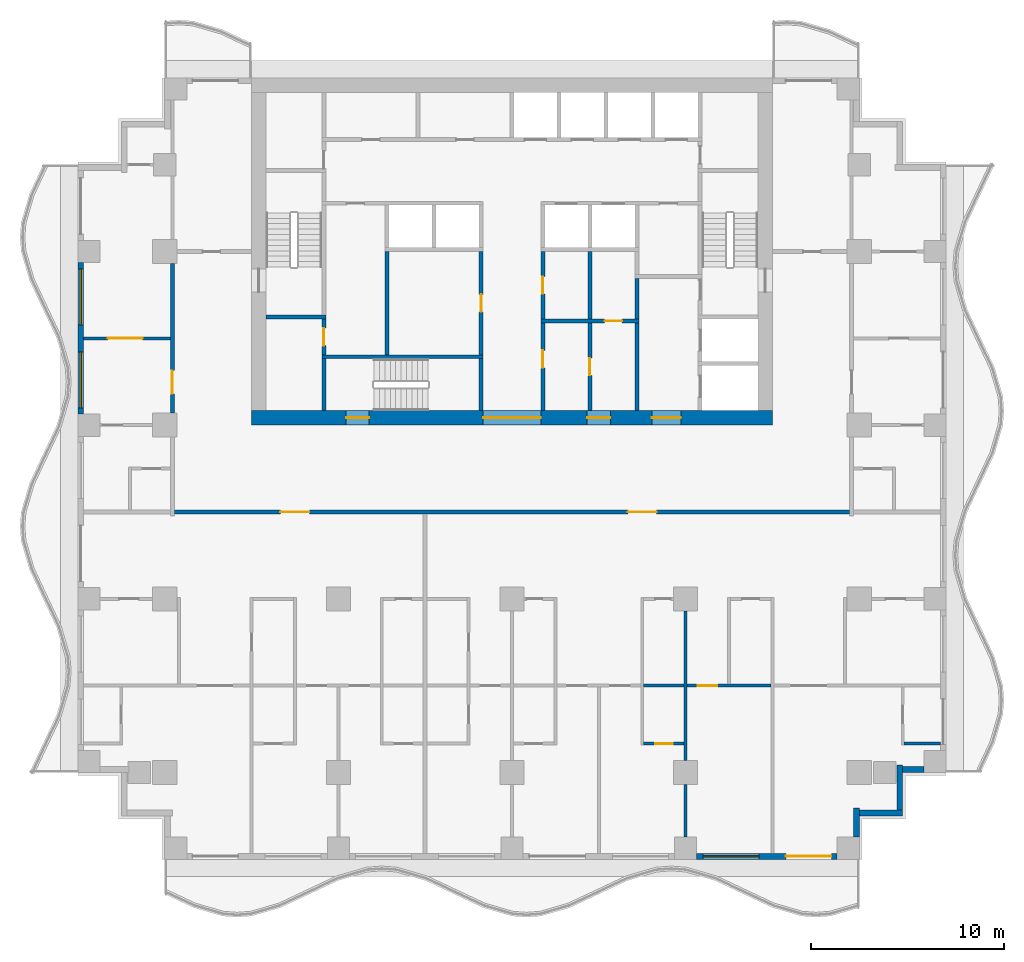
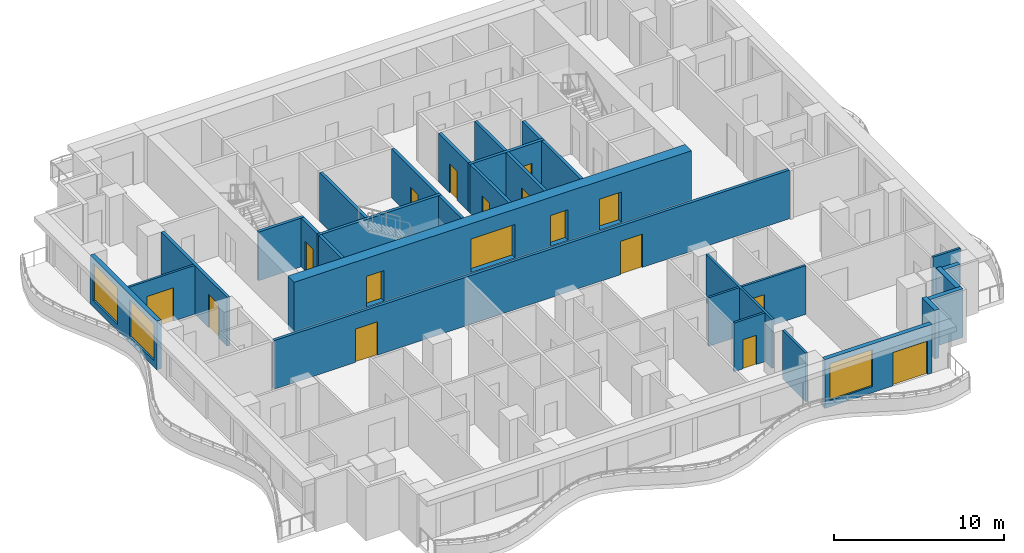
# One storey, part 3 of 10: 30 walls, 17 doors, 3 windows, 20 openings.
"""IFC4 building model written with IfcOpenShell, lengths in metres."""

from ifc_helpers import new_model, si_unit, direction, frame, frame_2d, origin, place, context, subcontext, project, spatial, rectangle, extrude, material, layer, layer_set, type_object, element, fill, save


model = new_model("IFC4")

# Units and contexts
model_context = context("Model", 3, precision=1e-05, world=origin(), true_north=direction((0.0, 1.0)))
body_context = subcontext(model_context, "Body", "Model", "MODEL_VIEW")
ifc_project = project(units=[si_unit("LENGTHUNIT", "METRE"), si_unit("AREAUNIT", "SQUARE_METRE"), si_unit("VOLUMEUNIT", "CUBIC_METRE"), si_unit("PLANEANGLEUNIT", "RADIAN"), si_unit("MASSUNIT", "GRAM", prefix="KILO")], contexts=[model_context])

# Site, building, storey
site_placement = place(None, origin())
site = spatial("IfcSite", under=ifc_project, at=site_placement, CompositionType="ELEMENT")
building_placement = place(site_placement, origin())
building = spatial("IfcBuilding", under=site, at=building_placement, Name="Orbiselva Terraces", CompositionType="ELEMENT")
storey_placement = place(building_placement, frame((0.0, 0.0, 144.0)))
storey = spatial("IfcBuildingStorey", under=building, at=storey_placement, Name="L36", CompositionType="ELEMENT", Elevation=144.0)

# Wall, openings, doors
ifc_material_1 = material(Name="Concrete C80/95", Category="concrete")
ifc_layer_1 = layer(ifc_material_1, 0.75)
ifc_layer_set_1 = layer_set([ifc_layer_1], Name="Concrete C80/95")
wall_type_1 = type_object("IfcWallType", Name="CORE WALL 750", PredefinedType="SHEAR", material=ifc_layer_set_1)
wall_1_placement = place(storey_placement, frame((-13.5, 4.875, -0.3), z_axis=(0.0, 0.0, 1.0), x_axis=(1.0, 0.0, 0.0)))
wall_1 = element("IfcWall", 1, at=wall_1_placement, inside=storey, type_object=wall_type_1, Name="Core wall L36 south", PredefinedType="SHEAR", context=body_context, shape_type="SweptSolid", body=[
    extrude(rectangle(XDim=27.0, YDim=0.75, at=frame_2d((13.5, 0.0))), origin(), (0.0, 0.0, 1.0), 3.8),
])
opening_1_placement = place(wall_1_placement, frame((12.0, 0.0, 0.3)))
opening_1 = element("IfcOpeningElement", 2, at=opening_1_placement, cuts=wall_1, Name="Opening DL3000", PredefinedType="OPENING", context=body_context, shape_type="SweptSolid", body=[
    extrude(rectangle(XDim=3.0, YDim=2.4, at=frame_2d((1.5, 1.2))), frame((0.0, 0.385, 0.0), z_axis=(0.0, -1.0, 0.0), x_axis=(1.0, 0.0, 0.0)), (0.0, 0.0, 1.0), 0.77),
])
opening_2_placement = place(wall_1_placement, frame((4.9, 0.0, 0.3)))
opening_2 = element("IfcOpeningElement", 3, at=opening_2_placement, cuts=wall_1, Name="Opening DS1200", PredefinedType="OPENING", context=body_context, shape_type="SweptSolid", body=[
    extrude(rectangle(XDim=1.2, YDim=2.2, at=frame_2d((0.6, 1.1))), frame((0.0, 0.385, 0.0), z_axis=(0.0, -1.0, 0.0), x_axis=(1.0, 0.0, 0.0)), (0.0, 0.0, 1.0), 0.77),
])
opening_3_placement = place(wall_1_placement, frame((20.75, 0.0, 0.3)))
opening_3 = element("IfcOpeningElement", 4, at=opening_3_placement, cuts=wall_1, Name="Opening DF1500", PredefinedType="OPENING", context=body_context, shape_type="SweptSolid", body=[
    extrude(rectangle(XDim=1.5, YDim=2.2, at=frame_2d((0.75, 1.1))), frame((0.0, 0.385, 0.0), z_axis=(0.0, -1.0, 0.0), x_axis=(1.0, 0.0, 0.0)), (0.0, 0.0, 1.0), 0.77),
])
opening_4_placement = place(wall_1_placement, frame((17.4, 0.0, 0.3)))
opening_4 = element("IfcOpeningElement", 5, at=opening_4_placement, cuts=wall_1, Name="Opening DV1200", PredefinedType="OPENING", context=body_context, shape_type="SweptSolid", body=[
    extrude(rectangle(XDim=1.2, YDim=2.2, at=frame_2d((0.6, 1.1))), frame((0.0, 0.385, 0.0), z_axis=(0.0, -1.0, 0.0), x_axis=(1.0, 0.0, 0.0)), (0.0, 0.0, 1.0), 0.77),
])
ifc_material_2 = material(Name="Steel fire door", Category="steel")
door_type_1 = type_object("IfcDoorType", Name="FFL DOOR 1500", OperationType="DOUBLE_DOOR_SINGLE_SWING", PredefinedType="DOOR", material=ifc_material_2)
door_1_placement = place(opening_3_placement, frame((1.5, 0.0, 0.0), z_axis=(0.0, 0.0, 1.0), x_axis=(-1.0, 0.0, 0.0)))
door_1 = element("IfcDoor", 6, at=door_1_placement, inside=storey, type_object=door_type_1, Name="L36 FIRE-FIGHTING LOBBY door", OperationType="DOUBLE_DOOR_SINGLE_SWING", OverallHeight=2.2, OverallWidth=1.5, PredefinedType="DOOR", context=body_context, shape_type="SweptSolid", body=[
    extrude(rectangle(XDim=1.5, YDim=2.2, at=frame_2d((0.75, 1.1))), frame((0.0, 0.025, 0.0), z_axis=(0.0, -1.0, 0.0), x_axis=(1.0, 0.0, 0.0)), (0.0, 0.0, 1.0), 0.05),
])
fill(opening_3, door_1)
door_type_2 = type_object("IfcDoorType", Name="LOBBY DOOR 3000", OperationType="DOUBLE_DOOR_SINGLE_SWING", PredefinedType="DOOR", material=ifc_material_2)
door_2_placement = place(opening_1_placement, frame((3.0, 0.0, 0.0), z_axis=(0.0, 0.0, 1.0), x_axis=(-1.0, 0.0, 0.0)))
door_2 = element("IfcDoor", 7, at=door_2_placement, inside=storey, type_object=door_type_2, Name="L36 LIFT LOBBY door", OperationType="DOUBLE_DOOR_SINGLE_SWING", OverallHeight=2.4, OverallWidth=3.0, PredefinedType="DOOR", context=body_context, shape_type="SweptSolid", body=[
    extrude(rectangle(XDim=3.0, YDim=2.4, at=frame_2d((1.5, 1.2))), frame((0.0, 0.025, 0.0), z_axis=(0.0, -1.0, 0.0), x_axis=(1.0, 0.0, 0.0)), (0.0, 0.0, 1.0), 0.05),
])
fill(opening_1, door_2)
door_type_3 = type_object("IfcDoorType", Name="SERVICE DOOR 1200", OperationType="NOTDEFINED", PredefinedType="DOOR", material=ifc_material_2)
door_3_placement = place(opening_4_placement, frame((1.2, 0.0, 0.0), z_axis=(0.0, 0.0, 1.0), x_axis=(-1.0, 0.0, 0.0)))
door_3 = element("IfcDoor", 8, at=door_3_placement, inside=storey, type_object=door_type_3, Name="L36 SPARE PARTS STORE door", OperationType="SINGLE_SWING_RIGHT", OverallHeight=2.2, OverallWidth=1.2, PredefinedType="DOOR", context=body_context, shape_type="SweptSolid", body=[
    extrude(rectangle(XDim=1.2, YDim=2.2, at=frame_2d((0.6, 1.1))), frame((0.0, 0.025, 0.0), z_axis=(0.0, -1.0, 0.0), x_axis=(1.0, 0.0, 0.0)), (0.0, 0.0, 1.0), 0.05),
])
fill(opening_4, door_3)
door_type_4 = type_object("IfcDoorType", Name="STAIR DOOR 1200", OperationType="NOTDEFINED", PredefinedType="DOOR", material=ifc_material_2)
door_4_placement = place(opening_2_placement, frame((1.2, 0.0, 0.0), z_axis=(0.0, 0.0, 1.0), x_axis=(-1.0, 0.0, 0.0)))
door_4 = element("IfcDoor", 9, at=door_4_placement, inside=storey, type_object=door_type_4, Name="L36 EXIT STAIR S3 door", OperationType="SINGLE_SWING_LEFT", OverallHeight=2.2, OverallWidth=1.2, PredefinedType="DOOR", context=body_context, shape_type="SweptSolid", body=[
    extrude(rectangle(XDim=1.2, YDim=2.2, at=frame_2d((0.6, 1.1))), frame((0.0, 0.025, 0.0), z_axis=(0.0, -1.0, 0.0), x_axis=(1.0, 0.0, 0.0)), (0.0, 0.0, 1.0), 0.05),
])
fill(opening_2, door_4)

# Wall, opening, door
ifc_material_3 = material(Name="Masonry blockwork", Category="masonry")
ifc_layer_2 = layer(ifc_material_3, 0.2)
ifc_layer_set_2 = layer_set([ifc_layer_2], Name="Masonry blockwork")
wall_type_2 = type_object("IfcWallType", Name="CORE-WALL-PARTITION-200", PredefinedType="PARTITIONING", material=ifc_layer_set_2)
wall_2_placement = place(storey_placement, frame((-9.75, 8.15, 0.0), z_axis=(0.0, 0.0, 1.0), x_axis=(0.0, 1.0, 0.0)))
wall_2 = element("IfcWall", 10, at=wall_2_placement, inside=storey, type_object=wall_type_2, Name="L36 core wall 05", PredefinedType="PARTITIONING", context=body_context, shape_type="SweptSolid", body=[
    extrude(rectangle(XDim=1.85, YDim=0.2, at=frame_2d((0.925, 0.0))), origin(), (0.0, 0.0, 1.0), 3.5),
])
opening_5_placement = place(wall_2_placement, frame((0.475, 0.0, 0.0)))
opening_5 = element("IfcOpeningElement", 11, at=opening_5_placement, cuts=wall_2, Name="Opening DR900", PredefinedType="OPENING", context=body_context, shape_type="SweptSolid", body=[
    extrude(rectangle(XDim=0.9, YDim=2.1, at=frame_2d((0.45, 1.05))), frame((0.0, 0.11, 0.0), z_axis=(0.0, -1.0, 0.0), x_axis=(1.0, 0.0, 0.0)), (0.0, 0.0, 1.0), 0.22),
])
door_type_5 = type_object("IfcDoorType", Name="ROOM DOOR 900", OperationType="NOTDEFINED", PredefinedType="DOOR", material=ifc_material_2)
door_5_placement = place(opening_5_placement, origin())
door_5 = element("IfcDoor", 12, at=door_5_placement, inside=storey, type_object=door_type_5, Name="L36 STAFF WC door", OperationType="SINGLE_SWING_RIGHT", OverallHeight=2.1, OverallWidth=0.9, PredefinedType="DOOR", context=body_context, shape_type="SweptSolid", body=[
    extrude(rectangle(XDim=0.9, YDim=2.1, at=frame_2d((0.45, 1.05))), frame((0.0, 0.025, 0.0), z_axis=(0.0, -1.0, 0.0), x_axis=(1.0, 0.0, 0.0)), (0.0, 0.0, 1.0), 0.05),
])
fill(opening_5, door_5)

# Wall
wall_3_placement = place(storey_placement, frame((-6.475, 8.15, 0.0), z_axis=(0.0, 0.0, 1.0), x_axis=(0.0, 1.0, 0.0)))
element("IfcWall", 13, at=wall_3_placement, inside=storey, type_object=wall_type_2, Name="L36 core wall 12", PredefinedType="PARTITIONING", context=body_context, shape_type="SweptSolid", body=[
    extrude(rectangle(XDim=5.35, YDim=0.2, at=frame_2d((2.675, 0.0))), origin(), (0.0, 0.0, 1.0), 3.5),
])

# Wall, opening, door
wall_4_placement = place(storey_placement, frame((4.0375, 9.8, 0.0), z_axis=(0.0, 0.0, 1.0), x_axis=(0.0, -1.0, 0.0)))
wall_4 = element("IfcWall", 14, at=wall_4_placement, inside=storey, type_object=wall_type_2, Name="L36 core wall 28", PredefinedType="PARTITIONING", context=body_context, shape_type="SweptSolid", body=[
    extrude(rectangle(XDim=4.55, YDim=0.2, at=frame_2d((2.275, 0.0))), origin(), (0.0, 0.0, 1.0), 3.5),
])
opening_6_placement = place(wall_4_placement, frame((1.825, 0.0, 0.0)))
opening_6 = element("IfcOpeningElement", 15, at=opening_6_placement, cuts=wall_4, Name="Opening DR900", PredefinedType="OPENING", context=body_context, shape_type="SweptSolid", body=[
    extrude(rectangle(XDim=0.9, YDim=2.1, at=frame_2d((0.45, 1.05))), frame((0.0, 0.11, 0.0), z_axis=(0.0, -1.0, 0.0), x_axis=(1.0, 0.0, 0.0)), (0.0, 0.0, 1.0), 0.22),
])
door_6_placement = place(opening_6_placement, origin())
door_6 = element("IfcDoor", 16, at=door_6_placement, inside=storey, type_object=door_type_5, Name="L36 SPARE PARTS STORE door", OperationType="SINGLE_SWING_LEFT", OverallHeight=2.1, OverallWidth=0.9, PredefinedType="DOOR", context=body_context, shape_type="SweptSolid", body=[
    extrude(rectangle(XDim=0.9, YDim=2.1, at=frame_2d((0.45, 1.05))), frame((0.0, 0.025, 0.0), z_axis=(0.0, -1.0, 0.0), x_axis=(1.0, 0.0, 0.0)), (0.0, 0.0, 1.0), 0.05),
])
fill(opening_6, door_6)

# Walls
wall_5_placement = place(storey_placement, frame((4.0375, 10.0, 0.0), z_axis=(0.0, 0.0, 1.0), x_axis=(0.0, 1.0, 0.0)))
element("IfcWall", 17, at=wall_5_placement, inside=storey, type_object=wall_type_2, Name="L36 core wall 29", PredefinedType="PARTITIONING", context=body_context, shape_type="SweptSolid", body=[
    extrude(rectangle(XDim=3.5, YDim=0.2, at=frame_2d((1.75, 0.0))), origin(), (0.0, 0.0, 1.0), 3.5),
])
ifc_material_4 = material(Name="Concrete C60/75", Category="concrete")
ifc_layer_3 = layer(ifc_material_4, 0.2)
ifc_layer_set_3 = layer_set([ifc_layer_3], Name="Concrete C60/75")
wall_type_3 = type_object("IfcWallType", Name="CORE-WALL-SHEAR-200", PredefinedType="SHEAR", material=ifc_layer_set_3)
wall_6_placement = place(storey_placement, frame((-12.75, 10.1, 0.0), z_axis=(0.0, 0.0, 1.0), x_axis=(1.0, 0.0, 0.0)))
element("IfcWall", 18, at=wall_6_placement, inside=storey, type_object=wall_type_3, Name="L36 core wall 01", PredefinedType="SHEAR", context=body_context, shape_type="SweptSolid", body=[
    extrude(rectangle(XDim=3.1, YDim=0.2, at=frame_2d((1.55, 0.0))), origin(), (0.0, 0.0, 1.0), 3.5),
])
wall_7_placement = place(storey_placement, frame((-9.75, 5.25, 0.0), z_axis=(0.0, 0.0, 1.0), x_axis=(0.0, 1.0, 0.0)))
element("IfcWall", 19, at=wall_7_placement, inside=storey, type_object=wall_type_3, Name="L36 core wall 03", PredefinedType="SHEAR", context=body_context, shape_type="SweptSolid", body=[
    extrude(rectangle(XDim=2.7, YDim=0.2, at=frame_2d((1.35, 0.0))), origin(), (0.0, 0.0, 1.0), 3.5),
])
wall_8_placement = place(storey_placement, frame((-9.85, 8.05, 0.0), z_axis=(0.0, 0.0, 1.0), x_axis=(1.0, 0.0, 0.0)))
element("IfcWall", 20, at=wall_8_placement, inside=storey, type_object=wall_type_3, Name="L36 core wall 04", PredefinedType="SHEAR", context=body_context, shape_type="SweptSolid", body=[
    extrude(rectangle(XDim=8.35, YDim=0.2, at=frame_2d((4.175, 0.0))), origin(), (0.0, 0.0, 1.0), 3.5),
])
wall_9_placement = place(storey_placement, frame((-1.6, 5.25, 0.0), z_axis=(0.0, 0.0, 1.0), x_axis=(0.0, 1.0, 0.0)))
element("IfcWall", 21, at=wall_9_placement, inside=storey, type_object=wall_type_3, Name="L36 core wall 17", PredefinedType="SHEAR", context=body_context, shape_type="SweptSolid", body=[
    extrude(rectangle(XDim=2.7, YDim=0.2, at=frame_2d((1.35, 0.0))), origin(), (0.0, 0.0, 1.0), 3.5),
])

# Wall, opening, door
wall_10_placement = place(storey_placement, frame((-1.6, 8.15, 0.0), z_axis=(0.0, 0.0, 1.0), x_axis=(0.0, 1.0, 0.0)))
wall_10 = element("IfcWall", 22, at=wall_10_placement, inside=storey, type_object=wall_type_3, Name="L36 core wall 18", PredefinedType="SHEAR", context=body_context, shape_type="SweptSolid", body=[
    extrude(rectangle(XDim=5.35, YDim=0.2, at=frame_2d((2.675, 0.0))), origin(), (0.0, 0.0, 1.0), 3.5),
])
opening_7_placement = place(wall_10_placement, frame((2.225, 0.0, 0.0)))
opening_7 = element("IfcOpeningElement", 23, at=opening_7_placement, cuts=wall_10, Name="Opening DR900", PredefinedType="OPENING", context=body_context, shape_type="SweptSolid", body=[
    extrude(rectangle(XDim=0.9, YDim=2.1, at=frame_2d((0.45, 1.05))), frame((0.0, 0.11, 0.0), z_axis=(0.0, -1.0, 0.0), x_axis=(1.0, 0.0, 0.0)), (0.0, 0.0, 1.0), 0.22),
])
door_7_placement = place(opening_7_placement, origin())
door_7 = element("IfcDoor", 24, at=door_7_placement, inside=storey, type_object=door_type_5, Name="L36 HOUSEKEEPING STORE door", OperationType="SINGLE_SWING_RIGHT", OverallHeight=2.1, OverallWidth=0.9, PredefinedType="DOOR", context=body_context, shape_type="SweptSolid", body=[
    extrude(rectangle(XDim=0.9, YDim=2.1, at=frame_2d((0.45, 1.05))), frame((0.0, 0.025, 0.0), z_axis=(0.0, -1.0, 0.0), x_axis=(1.0, 0.0, 0.0)), (0.0, 0.0, 1.0), 0.05),
])
fill(opening_7, door_7)

wall_11_placement = place(storey_placement, frame((1.6, 9.8, 0.0), z_axis=(0.0, 0.0, 1.0), x_axis=(0.0, -1.0, 0.0)))
wall_11 = element("IfcWall", 25, at=wall_11_placement, inside=storey, type_object=wall_type_3, Name="L36 core wall 21", PredefinedType="SHEAR", context=body_context, shape_type="SweptSolid", body=[
    extrude(rectangle(XDim=4.55, YDim=0.2, at=frame_2d((2.275, 0.0))), origin(), (0.0, 0.0, 1.0), 3.5),
])
opening_8_placement = place(wall_11_placement, frame((1.425, 0.0, 0.0)))
opening_8 = element("IfcOpeningElement", 26, at=opening_8_placement, cuts=wall_11, Name="Opening DR900", PredefinedType="OPENING", context=body_context, shape_type="SweptSolid", body=[
    extrude(rectangle(XDim=0.9, YDim=2.1, at=frame_2d((0.45, 1.05))), frame((0.0, 0.11, 0.0), z_axis=(0.0, -1.0, 0.0), x_axis=(1.0, 0.0, 0.0)), (0.0, 0.0, 1.0), 0.22),
])
door_8_placement = place(opening_8_placement, origin())
door_8 = element("IfcDoor", 27, at=door_8_placement, inside=storey, type_object=door_type_5, Name="L36 ELECTRICAL ROOM door", OperationType="SINGLE_SWING_LEFT", OverallHeight=2.1, OverallWidth=0.9, PredefinedType="DOOR", context=body_context, shape_type="SweptSolid", body=[
    extrude(rectangle(XDim=0.9, YDim=2.1, at=frame_2d((0.45, 1.05))), frame((0.0, 0.025, 0.0), z_axis=(0.0, -1.0, 0.0), x_axis=(1.0, 0.0, 0.0)), (0.0, 0.0, 1.0), 0.05),
])
fill(opening_8, door_8)

wall_12_placement = place(storey_placement, frame((1.5, 9.9, 0.0), z_axis=(0.0, 0.0, 1.0), x_axis=(1.0, 0.0, 0.0)))
wall_12 = element("IfcWall", 28, at=wall_12_placement, inside=storey, type_object=wall_type_3, Name="L36 core wall 22", PredefinedType="SHEAR", context=body_context, shape_type="SweptSolid", body=[
    extrude(rectangle(XDim=5.075, YDim=0.2, at=frame_2d((2.5375, 0.0))), origin(), (0.0, 0.0, 1.0), 3.5),
])
opening_9_placement = place(wall_12_placement, frame((3.3062, 0.0, 0.0)))
opening_9 = element("IfcOpeningElement", 29, at=opening_9_placement, cuts=wall_12, Name="Opening DR900", PredefinedType="OPENING", context=body_context, shape_type="SweptSolid", body=[
    extrude(rectangle(XDim=0.9, YDim=2.1, at=frame_2d((0.45, 1.05))), frame((0.0, 0.11, 0.0), z_axis=(0.0, -1.0, 0.0), x_axis=(1.0, 0.0, 0.0)), (0.0, 0.0, 1.0), 0.22),
])
door_9_placement = place(opening_9_placement, origin())
door_9 = element("IfcDoor", 30, at=door_9_placement, inside=storey, type_object=door_type_5, Name="L36 LINEN STORE door", OperationType="SINGLE_SWING_RIGHT", OverallHeight=2.1, OverallWidth=0.9, PredefinedType="DOOR", context=body_context, shape_type="SweptSolid", body=[
    extrude(rectangle(XDim=0.9, YDim=2.1, at=frame_2d((0.45, 1.05))), frame((0.0, 0.025, 0.0), z_axis=(0.0, -1.0, 0.0), x_axis=(1.0, 0.0, 0.0)), (0.0, 0.0, 1.0), 0.05),
])
fill(opening_9, door_9)

wall_13_placement = place(storey_placement, frame((1.6, 13.5, 0.0), z_axis=(0.0, 0.0, 1.0), x_axis=(0.0, -1.0, 0.0)))
wall_13 = element("IfcWall", 31, at=wall_13_placement, inside=storey, type_object=wall_type_3, Name="L36 core wall 23", PredefinedType="SHEAR", context=body_context, shape_type="SweptSolid", body=[
    extrude(rectangle(XDim=3.5, YDim=0.2, at=frame_2d((1.75, 0.0))), origin(), (0.0, 0.0, 1.0), 3.5),
])
opening_10_placement = place(wall_13_placement, frame((1.3, 0.0, 0.0)))
opening_10 = element("IfcOpeningElement", 32, at=opening_10_placement, cuts=wall_13, Name="Opening DR900", PredefinedType="OPENING", context=body_context, shape_type="SweptSolid", body=[
    extrude(rectangle(XDim=0.9, YDim=2.1, at=frame_2d((0.45, 1.05))), frame((0.0, 0.11, 0.0), z_axis=(0.0, -1.0, 0.0), x_axis=(1.0, 0.0, 0.0)), (0.0, 0.0, 1.0), 0.22),
])
door_10_placement = place(opening_10_placement, origin())
door_10 = element("IfcDoor", 33, at=door_10_placement, inside=storey, type_object=door_type_5, Name="L36 COMMS ROOM door", OperationType="SINGLE_SWING_RIGHT", OverallHeight=2.1, OverallWidth=0.9, PredefinedType="DOOR", context=body_context, shape_type="SweptSolid", body=[
    extrude(rectangle(XDim=0.9, YDim=2.1, at=frame_2d((0.45, 1.05))), frame((0.0, 0.025, 0.0), z_axis=(0.0, -1.0, 0.0), x_axis=(1.0, 0.0, 0.0)), (0.0, 0.0, 1.0), 0.05),
])
fill(opening_10, door_10)

# Walls
wall_14_placement = place(storey_placement, frame((6.475, 5.25, 0.0), z_axis=(0.0, 0.0, 1.0), x_axis=(0.0, 1.0, 0.0)))
element("IfcWall", 34, at=wall_14_placement, inside=storey, type_object=wall_type_3, Name="L36 core wall 32", PredefinedType="SHEAR", context=body_context, shape_type="SweptSolid", body=[
    extrude(rectangle(XDim=4.55, YDim=0.2, at=frame_2d((2.275, 0.0))), origin(), (0.0, 0.0, 1.0), 3.5),
])
wall_15_placement = place(storey_placement, frame((6.475, 10.0, 0.0), z_axis=(0.0, 0.0, 1.0), x_axis=(0.0, 1.0, 0.0)))
element("IfcWall", 35, at=wall_15_placement, inside=storey, type_object=wall_type_3, Name="L36 core wall 33", PredefinedType="SHEAR", context=body_context, shape_type="SweptSolid", body=[
    extrude(rectangle(XDim=2.1, YDim=0.2, at=frame_2d((1.05, 0.0))), origin(), (0.0, 0.0, 1.0), 3.5),
])

# Wall, openings, door, window
ifc_material_5 = material(Name="Terracotta cladding on masonry backing", Category="masonry")
ifc_layer_4 = layer(ifc_material_5, 0.3)
ifc_layer_set_4 = layer_set([ifc_layer_4], Name="Terracotta cladding on masonry backing")
wall_type_4 = type_object("IfcWallType", Name="ENV-WALL-TERRACOTTA-300", PredefinedType="SOLIDWALL", material=ifc_layer_set_4)
wall_16_placement = place(storey_placement, frame((16.85, -17.85, 0.0), z_axis=(0.0, 0.0, 1.0), x_axis=(-1.0, 0.0, 0.0)))
wall_16 = element("IfcWall", 36, at=wall_16_placement, inside=storey, type_object=wall_type_4, Name="Facade wall L36 S", PredefinedType="SOLIDWALL", context=body_context, shape_type="SweptSolid", body=[
    extrude(rectangle(XDim=7.275, YDim=0.3, at=frame_2d((3.6375, 0.0))), origin(), (0.0, 0.0, 1.0), 3.5),
])
opening_11_placement = place(wall_16_placement, frame((4.05, 0.0, 0.45)))
opening_11 = element("IfcOpeningElement", 37, at=opening_11_placement, cuts=wall_16, Name="Opening WN8", PredefinedType="OPENING", context=body_context, shape_type="SweptSolid", body=[
    extrude(rectangle(XDim=2.9, YDim=2.65, at=frame_2d((1.45, 1.325))), frame((0.0, 0.16, 0.0), z_axis=(0.0, -1.0, 0.0), x_axis=(1.0, 0.0, 0.0)), (0.0, 0.0, 1.0), 0.32),
])
opening_12_placement = place(wall_16_placement, frame((0.3, 0.0, 0.0)))
opening_12 = element("IfcOpeningElement", 38, at=opening_12_placement, cuts=wall_16, Name="Opening Z3-B-E12", PredefinedType="OPENING", context=body_context, shape_type="SweptSolid", body=[
    extrude(rectangle(XDim=2.35, YDim=2.4, at=frame_2d((1.175, 1.2))), frame((0.0, 0.16, 0.0), z_axis=(0.0, -1.0, 0.0), x_axis=(1.0, 0.0, 0.0)), (0.0, 0.0, 1.0), 0.32),
])
ifc_material_6 = material(Name="Clear low-e glazing in aluminium frame", Category="aluminium")
door_type_6 = type_object("IfcDoorType", Name="BALCONY DOOR 2350 X 2400", OperationType="DOUBLE_DOOR_SLIDING", PredefinedType="DOOR", material=ifc_material_6)
door_11_placement = place(opening_12_placement, origin())
door_11 = element("IfcDoor", 39, at=door_11_placement, inside=storey, type_object=door_type_6, Name="Z3-B-E12", OperationType="SINGLE_SWING_LEFT", OverallHeight=2.4, OverallWidth=2.35, PredefinedType="DOOR", context=body_context, shape_type="SweptSolid", body=[
    extrude(rectangle(XDim=2.35, YDim=2.4, at=frame_2d((1.175, 1.2))), frame((0.0, 0.025, 0.0), z_axis=(0.0, -1.0, 0.0), x_axis=(1.0, 0.0, 0.0)), (0.0, 0.0, 1.0), 0.05),
])
fill(opening_12, door_11)
window_type = type_object("IfcWindowType", Name="WINDOW 2900 X 2650 S450", PartitioningType="TRIPLE_PANEL_VERTICAL", PredefinedType="WINDOW", material=ifc_material_6)
window_1_placement = place(opening_11_placement, origin())
window_1 = element("IfcWindow", 40, at=window_1_placement, inside=storey, type_object=window_type, Name="Window L36 S", OverallHeight=2.65, OverallWidth=2.9, PartitioningType="SINGLE_PANEL", PredefinedType="WINDOW", context=body_context, shape_type="SweptSolid", body=[
    extrude(rectangle(XDim=2.9, YDim=2.65, at=frame_2d((1.45, 1.325))), frame((0.0, 0.03, 0.0), z_axis=(0.0, -1.0, 0.0), x_axis=(1.0, 0.0, 0.0)), (0.0, 0.0, 1.0), 0.06),
])
fill(opening_11, window_1)

# Walls
wall_17_placement = place(storey_placement, frame((17.85, -15.35, 0.0), z_axis=(0.0, 0.0, 1.0), x_axis=(0.0, -1.0, 0.0)))
element("IfcWall", 41, at=wall_17_placement, inside=storey, type_object=wall_type_4, Name="Facade wall L36 STEP", PredefinedType="SOLIDWALL", context=body_context, shape_type="SweptSolid", body=[
    extrude(rectangle(XDim=1.5, YDim=0.3, at=frame_2d((0.75, 0.0))), origin(), (0.0, 0.0, 1.0), 3.5),
])
wall_18_placement = place(storey_placement, frame((20.25, -15.6, 0.0), z_axis=(0.0, 0.0, 1.0), x_axis=(-1.0, 0.0, 0.0)))
element("IfcWall", 42, at=wall_18_placement, inside=storey, type_object=wall_type_4, Name="Facade wall L36 STEP", PredefinedType="SOLIDWALL", context=body_context, shape_type="SweptSolid", body=[
    extrude(rectangle(XDim=2.25, YDim=0.3, at=frame_2d((1.125, 0.0))), origin(), (0.0, 0.0, 1.0), 3.5),
])
wall_19_placement = place(storey_placement, frame((20.1, -13.1, 0.0), z_axis=(0.0, 0.0, 1.0), x_axis=(0.0, -1.0, 0.0)))
element("IfcWall", 43, at=wall_19_placement, inside=storey, type_object=wall_type_4, Name="Facade wall L36 STEP", PredefinedType="SOLIDWALL", context=body_context, shape_type="SweptSolid", body=[
    extrude(rectangle(XDim=2.35, YDim=0.3, at=frame_2d((1.175, 0.0))), origin(), (0.0, 0.0, 1.0), 3.5),
])
wall_20_placement = place(storey_placement, frame((21.35, -13.35, 0.0), z_axis=(0.0, 0.0, 1.0), x_axis=(-1.0, 0.0, 0.0)))
element("IfcWall", 44, at=wall_20_placement, inside=storey, type_object=wall_type_4, Name="Facade wall L36 STEP", PredefinedType="SOLIDWALL", context=body_context, shape_type="SweptSolid", body=[
    extrude(rectangle(XDim=1.1, YDim=0.3, at=frame_2d((0.55, 0.0))), origin(), (0.0, 0.0, 1.0), 3.5),
])

# Wall, openings, windows
wall_21_placement = place(storey_placement, frame((-22.35, 5.075, 0.0), z_axis=(0.0, 0.0, 1.0), x_axis=(0.0, 1.0, 0.0)))
wall_21 = element("IfcWall", 45, at=wall_21_placement, inside=storey, type_object=wall_type_4, Name="Facade wall L36 W", PredefinedType="SOLIDWALL", context=body_context, shape_type="SweptSolid", body=[
    extrude(rectangle(XDim=7.85, YDim=0.3, at=frame_2d((3.925, 0.0))), origin(), (0.0, 0.0, 1.0), 3.5),
])
opening_13_placement = place(wall_21_placement, frame((4.625, 0.0, 0.45)))
opening_13 = element("IfcOpeningElement", 46, at=opening_13_placement, cuts=wall_21, Name="Opening WN8", PredefinedType="OPENING", context=body_context, shape_type="SweptSolid", body=[
    extrude(rectangle(XDim=2.9, YDim=2.65, at=frame_2d((1.45, 1.325))), frame((0.0, 0.16, 0.0), z_axis=(0.0, -1.0, 0.0), x_axis=(1.0, 0.0, 0.0)), (0.0, 0.0, 1.0), 0.32),
])
opening_14_placement = place(wall_21_placement, frame((0.325, 0.0, 0.45)))
opening_14 = element("IfcOpeningElement", 47, at=opening_14_placement, cuts=wall_21, Name="Opening WN8", PredefinedType="OPENING", context=body_context, shape_type="SweptSolid", body=[
    extrude(rectangle(XDim=2.9, YDim=2.65, at=frame_2d((1.45, 1.325))), frame((0.0, 0.16, 0.0), z_axis=(0.0, -1.0, 0.0), x_axis=(1.0, 0.0, 0.0)), (0.0, 0.0, 1.0), 0.32),
])
window_2_placement = place(opening_13_placement, origin())
window_2 = element("IfcWindow", 48, at=window_2_placement, inside=storey, type_object=window_type, Name="Window L36 W", OverallHeight=2.65, OverallWidth=2.9, PartitioningType="SINGLE_PANEL", PredefinedType="WINDOW", context=body_context, shape_type="SweptSolid", body=[
    extrude(rectangle(XDim=2.9, YDim=2.65, at=frame_2d((1.45, 1.325))), frame((0.0, 0.03, 0.0), z_axis=(0.0, -1.0, 0.0), x_axis=(1.0, 0.0, 0.0)), (0.0, 0.0, 1.0), 0.06),
])
fill(opening_13, window_2)
window_3_placement = place(opening_14_placement, origin())
window_3 = element("IfcWindow", 49, at=window_3_placement, inside=storey, type_object=window_type, Name="Window L36 W", OverallHeight=2.65, OverallWidth=2.9, PartitioningType="SINGLE_PANEL", PredefinedType="WINDOW", context=body_context, shape_type="SweptSolid", body=[
    extrude(rectangle(XDim=2.9, YDim=2.65, at=frame_2d((1.45, 1.325))), frame((0.0, 0.03, 0.0), z_axis=(0.0, -1.0, 0.0), x_axis=(1.0, 0.0, 0.0)), (0.0, 0.0, 1.0), 0.06),
])
fill(opening_14, window_3)

# Wall, openings, doors
ifc_material_7 = material(Name="Plasterboard on steel stud partition", Category="steel")
ifc_layer_5 = layer(ifc_material_7, 0.2)
ifc_layer_set_5 = layer_set([ifc_layer_5], Name="Plasterboard on steel stud partition")
wall_type_5 = type_object("IfcWallType", Name="UNIT-ENTRANCE-WALL-200", PredefinedType="PARTITIONING", material=ifc_layer_set_5)
wall_22_placement = place(storey_placement, frame((17.5, 0.0, 0.0), z_axis=(0.0, 0.0, 1.0), x_axis=(-1.0, 0.0, 0.0)))
wall_22 = element("IfcWall", 50, at=wall_22_placement, inside=storey, type_object=wall_type_5, Name="PARTITION L36-027", PredefinedType="PARTITIONING", context=body_context, shape_type="SweptSolid", body=[
    extrude(rectangle(XDim=35.0, YDim=0.2, at=frame_2d((17.5, 0.0))), origin(), (0.0, 0.0, 1.0), 3.5),
])
opening_15_placement = place(wall_22_placement, frame((28.0, 0.0, 0.0)))
opening_15 = element("IfcOpeningElement", 51, at=opening_15_placement, cuts=wall_22, Name="Opening Z3-B-13", PredefinedType="OPENING", context=body_context, shape_type="SweptSolid", body=[
    extrude(rectangle(XDim=1.5, YDim=2.4, at=frame_2d((0.75, 1.2))), frame((0.0, 0.11, 0.0), z_axis=(0.0, -1.0, 0.0), x_axis=(1.0, 0.0, 0.0)), (0.0, 0.0, 1.0), 0.22),
])
opening_16_placement = place(wall_22_placement, frame((10.0, 0.0, 0.0)))
opening_16 = element("IfcOpeningElement", 52, at=opening_16_placement, cuts=wall_22, Name="Opening Z3-B-23", PredefinedType="OPENING", context=body_context, shape_type="SweptSolid", body=[
    extrude(rectangle(XDim=1.5, YDim=2.4, at=frame_2d((0.75, 1.2))), frame((0.0, 0.11, 0.0), z_axis=(0.0, -1.0, 0.0), x_axis=(1.0, 0.0, 0.0)), (0.0, 0.0, 1.0), 0.22),
])
ifc_material_8 = material(Name="Painted timber door leaf", Category="wood")
door_type_7 = type_object("IfcDoorType", Name="ENTRANCE DOUBLE DOOR 1500", OperationType="NOTDEFINED", PredefinedType="DOOR", material=ifc_material_8)
door_12_placement = place(opening_15_placement, origin())
door_12 = element("IfcDoor", 53, at=door_12_placement, inside=storey, type_object=door_type_7, Name="Z3-B-13", OperationType="DOUBLE_DOOR_SINGLE_SWING", OverallHeight=2.4, OverallWidth=1.5, PredefinedType="DOOR", context=body_context, shape_type="SweptSolid", body=[
    extrude(rectangle(XDim=1.5, YDim=2.4, at=frame_2d((0.75, 1.2))), frame((0.0, 0.025, 0.0), z_axis=(0.0, -1.0, 0.0), x_axis=(1.0, 0.0, 0.0)), (0.0, 0.0, 1.0), 0.05),
])
fill(opening_15, door_12)
door_13_placement = place(opening_16_placement, origin())
door_13 = element("IfcDoor", 54, at=door_13_placement, inside=storey, type_object=door_type_7, Name="Z3-B-23", OperationType="DOUBLE_DOOR_SINGLE_SWING", OverallHeight=2.4, OverallWidth=1.5, PredefinedType="DOOR", context=body_context, shape_type="SweptSolid", body=[
    extrude(rectangle(XDim=1.5, YDim=2.4, at=frame_2d((0.75, 1.2))), frame((0.0, 0.025, 0.0), z_axis=(0.0, -1.0, 0.0), x_axis=(1.0, 0.0, 0.0)), (0.0, 0.0, 1.0), 0.05),
])
fill(opening_16, door_13)

# Wall, opening, door
wall_23_placement = place(storey_placement, frame((-17.6, 5.125, 0.0), z_axis=(0.0, 0.0, 1.0), x_axis=(0.0, 1.0, 0.0)))
wall_23 = element("IfcWall", 55, at=wall_23_placement, inside=storey, type_object=wall_type_5, Name="PARTITION L36-043", PredefinedType="PARTITIONING", context=body_context, shape_type="SweptSolid", body=[
    extrude(rectangle(XDim=7.75, YDim=0.2, at=frame_2d((3.875, 0.0))), origin(), (0.0, 0.0, 1.0), 3.5),
])
opening_17_placement = place(wall_23_placement, frame((1.0, 0.0, 0.0)))
opening_17 = element("IfcOpeningElement", 56, at=opening_17_placement, cuts=wall_23, Name="Opening Z3-B-05", PredefinedType="OPENING", context=body_context, shape_type="SweptSolid", body=[
    extrude(rectangle(XDim=1.2, YDim=2.4, at=frame_2d((0.6, 1.2))), frame((0.0, 0.11, 0.0), z_axis=(0.0, -1.0, 0.0), x_axis=(1.0, 0.0, 0.0)), (0.0, 0.0, 1.0), 0.22),
])
door_type_8 = type_object("IfcDoorType", Name="ENTRANCE DOOR 1200", OperationType="NOTDEFINED", PredefinedType="DOOR", material=ifc_material_8)
door_14_placement = place(opening_17_placement, origin())
door_14 = element("IfcDoor", 57, at=door_14_placement, inside=storey, type_object=door_type_8, Name="Z3-B-05", OperationType="SINGLE_SWING_LEFT", OverallHeight=2.4, OverallWidth=1.2, PredefinedType="DOOR", context=body_context, shape_type="SweptSolid", body=[
    extrude(rectangle(XDim=1.2, YDim=2.4, at=frame_2d((0.6, 1.2))), frame((0.0, 0.025, 0.0), z_axis=(0.0, -1.0, 0.0), x_axis=(1.0, 0.0, 0.0)), (0.0, 0.0, 1.0), 0.05),
])
fill(opening_17, door_14)

ifc_layer_6 = layer(ifc_material_7, 0.15)
ifc_layer_set_6 = layer_set([ifc_layer_6], Name="Plasterboard on steel stud partition")
wall_type_6 = type_object("IfcWallType", Name="UNIT-PARTITION-150", PredefinedType="PARTITIONING", material=ifc_layer_set_6)
wall_24_placement = place(storey_placement, frame((6.825, -12.0, 0.0), z_axis=(0.0, 0.0, 1.0), x_axis=(1.0, 0.0, 0.0)))
wall_24 = element("IfcWall", 58, at=wall_24_placement, inside=storey, type_object=wall_type_6, Name="PARTITION L36-006", PredefinedType="PARTITIONING", context=body_context, shape_type="SweptSolid", body=[
    extrude(rectangle(XDim=2.1, YDim=0.15, at=frame_2d((1.05, 0.0))), origin(), (0.0, 0.0, 1.0), 3.5),
])
opening_18_placement = place(wall_24_placement, frame((0.6, 0.0, 0.0)))
opening_18 = element("IfcOpeningElement", 59, at=opening_18_placement, cuts=wall_24, Name="Opening Z3-B-34", PredefinedType="OPENING", context=body_context, shape_type="SweptSolid", body=[
    extrude(rectangle(XDim=0.9, YDim=2.1, at=frame_2d((0.45, 1.05))), frame((0.0, 0.085, 0.0), z_axis=(0.0, -1.0, 0.0), x_axis=(1.0, 0.0, 0.0)), (0.0, 0.0, 1.0), 0.17),
])
door_type_9 = type_object("IfcDoorType", Name="BATH DOOR 900", OperationType="NOTDEFINED", PredefinedType="DOOR", material=ifc_material_8)
door_15_placement = place(opening_18_placement, origin())
door_15 = element("IfcDoor", 60, at=door_15_placement, inside=storey, type_object=door_type_9, Name="Z3-B-34", OperationType="SINGLE_SWING_LEFT", OverallHeight=2.1, OverallWidth=0.9, PredefinedType="DOOR", context=body_context, shape_type="SweptSolid", body=[
    extrude(rectangle(XDim=0.9, YDim=2.1, at=frame_2d((0.45, 1.05))), frame((0.0, 0.025, 0.0), z_axis=(0.0, -1.0, 0.0), x_axis=(1.0, 0.0, 0.0)), (0.0, 0.0, 1.0), 0.05),
])
fill(opening_18, door_15)

# Walls
wall_25_placement = place(storey_placement, frame((20.325, -12.0, 0.0), z_axis=(0.0, 0.0, 1.0), x_axis=(1.0, 0.0, 0.0)))
element("IfcWall", 61, at=wall_25_placement, inside=storey, type_object=wall_type_6, Name="PARTITION L36-007", PredefinedType="PARTITIONING", context=body_context, shape_type="SweptSolid", body=[
    extrude(rectangle(XDim=1.875, YDim=0.15, at=frame_2d((0.9375, 0.0))), origin(), (0.0, 0.0, 1.0), 3.5),
])
wall_26_placement = place(storey_placement, frame((6.825, -9.0, 0.0), z_axis=(0.0, 0.0, 1.0), x_axis=(1.0, 0.0, 0.0)))
element("IfcWall", 62, at=wall_26_placement, inside=storey, type_object=wall_type_6, Name="PARTITION L36-016", PredefinedType="PARTITIONING", context=body_context, shape_type="SweptSolid", body=[
    extrude(rectangle(XDim=2.1, YDim=0.15, at=frame_2d((1.05, 0.0))), origin(), (0.0, 0.0, 1.0), 3.5),
])

# Wall, opening, door
wall_27_placement = place(storey_placement, frame((13.425, -9.0, 0.0), z_axis=(0.0, 0.0, 1.0), x_axis=(-1.0, 0.0, 0.0)))
wall_27 = element("IfcWall", 63, at=wall_27_placement, inside=storey, type_object=wall_type_6, Name="PARTITION L36-017", PredefinedType="PARTITIONING", context=body_context, shape_type="SweptSolid", body=[
    extrude(rectangle(XDim=4.35, YDim=0.15, at=frame_2d((2.175, 0.0))), origin(), (0.0, 0.0, 1.0), 3.5),
])
opening_19_placement = place(wall_27_placement, frame((2.8, 0.0, 0.0)))
opening_19 = element("IfcOpeningElement", 64, at=opening_19_placement, cuts=wall_27, Name="Opening Z3-B-35", PredefinedType="OPENING", context=body_context, shape_type="SweptSolid", body=[
    extrude(rectangle(XDim=1.0, YDim=2.4, at=frame_2d((0.5, 1.2))), frame((0.0, 0.085, 0.0), z_axis=(0.0, -1.0, 0.0), x_axis=(1.0, 0.0, 0.0)), (0.0, 0.0, 1.0), 0.17),
])
door_type_10 = type_object("IfcDoorType", Name="ROOM DOOR 1000", OperationType="NOTDEFINED", PredefinedType="DOOR", material=ifc_material_8)
door_16_placement = place(opening_19_placement, origin())
door_16 = element("IfcDoor", 65, at=door_16_placement, inside=storey, type_object=door_type_10, Name="Z3-B-35", OperationType="SINGLE_SWING_RIGHT", OverallHeight=2.4, OverallWidth=1.0, PredefinedType="DOOR", context=body_context, shape_type="SweptSolid", body=[
    extrude(rectangle(XDim=1.0, YDim=2.4, at=frame_2d((0.5, 1.2))), frame((0.0, 0.025, 0.0), z_axis=(0.0, -1.0, 0.0), x_axis=(1.0, 0.0, 0.0)), (0.0, 0.0, 1.0), 0.05),
])
fill(opening_19, door_16)

wall_28_placement = place(storey_placement, frame((-22.2, 9.0, 0.0), z_axis=(0.0, 0.0, 1.0), x_axis=(1.0, 0.0, 0.0)))
wall_28 = element("IfcWall", 66, at=wall_28_placement, inside=storey, type_object=wall_type_6, Name="PARTITION L36-034", PredefinedType="PARTITIONING", context=body_context, shape_type="SweptSolid", body=[
    extrude(rectangle(XDim=4.5, YDim=0.15, at=frame_2d((2.25, 0.0))), origin(), (0.0, 0.0, 1.0), 3.5),
])
opening_20_placement = place(wall_28_placement, frame((1.25, 0.0, 0.0)))
opening_20 = element("IfcOpeningElement", 67, at=opening_20_placement, cuts=wall_28, Name="Opening Z3-B-06", PredefinedType="OPENING", context=body_context, shape_type="SweptSolid", body=[
    extrude(rectangle(XDim=1.8, YDim=2.4, at=frame_2d((0.9, 1.2))), frame((0.0, 0.085, 0.0), z_axis=(0.0, -1.0, 0.0), x_axis=(1.0, 0.0, 0.0)), (0.0, 0.0, 1.0), 0.17),
])
door_type_11 = type_object("IfcDoorType", Name="DOUBLE DOOR 1800", OperationType="NOTDEFINED", PredefinedType="DOOR", material=ifc_material_8)
door_17_placement = place(opening_20_placement, origin())
door_17 = element("IfcDoor", 68, at=door_17_placement, inside=storey, type_object=door_type_11, Name="Z3-B-06", OperationType="DOUBLE_DOOR_SINGLE_SWING", OverallHeight=2.4, OverallWidth=1.8, PredefinedType="DOOR", context=body_context, shape_type="SweptSolid", body=[
    extrude(rectangle(XDim=1.8, YDim=2.4, at=frame_2d((0.9, 1.2))), frame((0.0, 0.025, 0.0), z_axis=(0.0, -1.0, 0.0), x_axis=(1.0, 0.0, 0.0)), (0.0, 0.0, 1.0), 0.05),
])
fill(opening_20, door_17)

# Walls
wall_29_placement = place(storey_placement, frame((9.0, -16.85, 0.0), z_axis=(0.0, 0.0, 1.0), x_axis=(0.0, 1.0, 0.0)))
element("IfcWall", 69, at=wall_29_placement, inside=storey, type_object=wall_type_6, Name="PARTITION L36-059", PredefinedType="PARTITIONING", context=body_context, shape_type="SweptSolid", body=[
    extrude(rectangle(XDim=2.725, YDim=0.15, at=frame_2d((1.3625, 0.0))), origin(), (0.0, 0.0, 1.0), 3.5),
])
wall_30_placement = place(storey_placement, frame((9.0, -12.875, 0.0), z_axis=(0.0, 0.0, 1.0), x_axis=(0.0, 1.0, 0.0)))
element("IfcWall", 70, at=wall_30_placement, inside=storey, type_object=wall_type_6, Name="PARTITION L36-060", PredefinedType="PARTITIONING", context=body_context, shape_type="SweptSolid", body=[
    extrude(rectangle(XDim=7.75, YDim=0.15, at=frame_2d((3.875, 0.0))), origin(), (0.0, 0.0, 1.0), 3.5),
])

save(model, "model.ifc")
